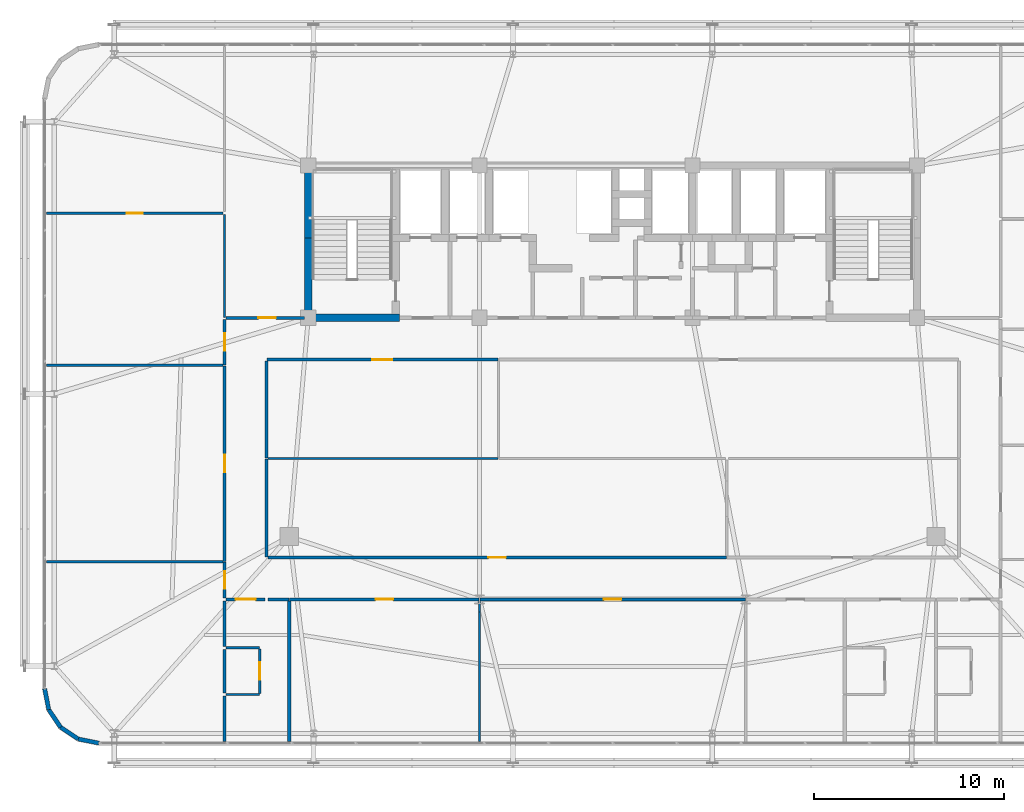
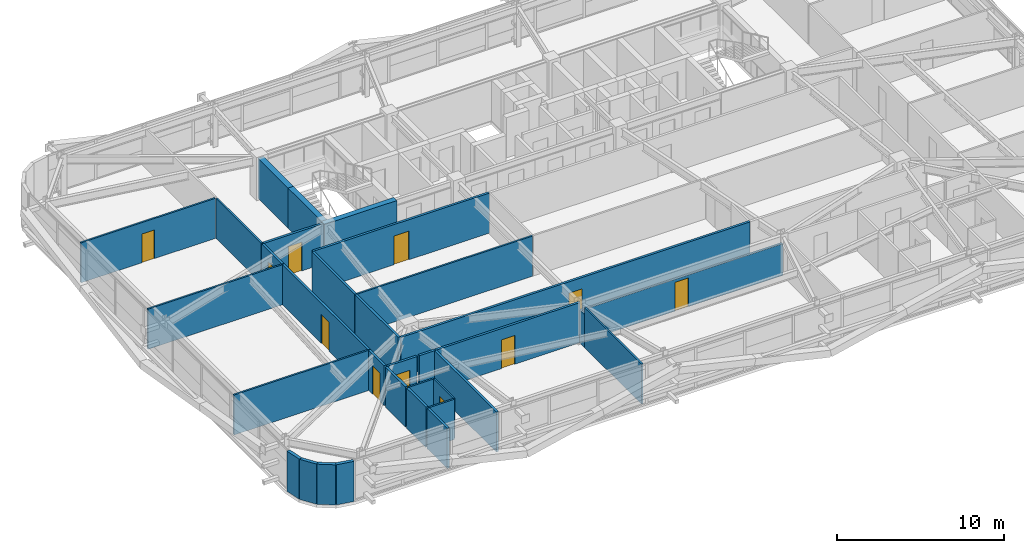
# One storey, part 52 of 59: 33 walls, 11 doors, 11 openings.
"""IFC4 building model written with IfcOpenShell, lengths in metres."""

import ifcopenshell
import ifcopenshell.guid

model = None  # the IFC model being written
_history = None  # IfcOwnerHistory: only IFC2X3 demands one
_inside = {}  # id of a spatial element -> (the spatial element, [elements in it])
_under = {}  # id of a project, library or spatial element -> (it, [spatial elements below it])
_declared = {}  # id of a project -> (the project, [libraries it declares])
_typed = {}  # id of a type object -> (the type object, [elements of that type])
_made_of = {}  # id of a material, layer set ... -> (it, [elements and type objects made of it])


def new_model(schema):
    """Start an empty IFC model of exactly this schema.

    Asked for "IFC4X3", IfcOpenShell would pick the latest addendum, in which some entities
    have other attributes; the version numbers below select the first issue.
    IFC2X3 requires an IfcOwnerHistory on every rooted entity: one is made here for all.
    """
    global model, _history
    if schema == "IFC4X3":
        model = ifcopenshell.file(schema_version=(4, 3, 0, 0))
    else:
        model = ifcopenshell.file(schema=schema)
    _inside.clear()
    _under.clear()
    _declared.clear()
    _typed.clear()
    _made_of.clear()
    _history = None
    if model.schema == "IFC2X3":
        org = make("IfcOrganization", Name="unknown")
        user = make(
            "IfcPersonAndOrganization",
            ThePerson=make("IfcPerson", FamilyName="unknown"),
            TheOrganization=org,
        )
        app = make(
            "IfcApplication",
            ApplicationDeveloper=org,
            Version="unknown",
            ApplicationFullName="unknown",
            ApplicationIdentifier="unknown",
        )
        _history = make(
            "IfcOwnerHistory",
            OwningUser=user,
            OwningApplication=app,
            ChangeAction="ADDED",
            CreationDate=0,
        )
    return model


def make(cls, **values):
    """One entity of the class cls with the attributes given. An attribute that is None is left unset."""
    return model.create_entity(
        cls, **{name: value for name, value in values.items() if value is not None}
    )


def rooted(cls, **values):
    """An entity with a GlobalId (a new one), such as an element, a storey or a relation."""
    return make(cls, GlobalId=ifcopenshell.guid.new(), OwnerHistory=_history, **values)


def si_unit(unit_type, name, prefix=None):
    """IfcSIUnit, for example si_unit("LENGTHUNIT", "METRE", prefix="MILLI")."""
    return make("IfcSIUnit", UnitType=unit_type, Prefix=prefix, Name=name)


def assignment(units):
    """IfcUnitAssignment: the units of a project."""
    return None if units is None else make("IfcUnitAssignment", Units=units)


def point(xyz):
    """IfcCartesianPoint."""
    return None if xyz is None else make("IfcCartesianPoint", Coordinates=xyz)


def direction(xyz):
    """IfcDirection."""
    return None if xyz is None else make("IfcDirection", DirectionRatios=xyz)


def frame(location, z_axis=None, x_axis=None):
    """IfcAxis2Placement3D, a coordinate frame: its origin and axes. An axis left out is left unset."""
    return make(
        "IfcAxis2Placement3D",
        Location=point(location),
        Axis=direction(z_axis),
        RefDirection=direction(x_axis),
    )


def frame_2d(location, x_axis=None):
    """IfcAxis2Placement2D, a coordinate frame in the plane: its origin and x axis."""
    return make(
        "IfcAxis2Placement2D", Location=point(location), RefDirection=direction(x_axis)
    )


def origin():
    """The frame at (0, 0, 0) with its axes left unset."""
    return frame((0.0, 0.0, 0.0))


def place(relative_to, where):
    """IfcLocalPlacement: puts the frame where relative to a parent placement (None: the world)."""
    return make(
        "IfcLocalPlacement", PlacementRelTo=relative_to, RelativePlacement=where
    )


def context(
    kind, dimensions, precision=None, world=None, true_north=None, identifier=None
):
    """IfcGeometricRepresentationContext, for example the 3D "Model" context."""
    return make(
        "IfcGeometricRepresentationContext",
        ContextIdentifier=identifier,
        ContextType=kind,
        CoordinateSpaceDimension=dimensions,
        Precision=precision,
        WorldCoordinateSystem=world,
        TrueNorth=true_north,
    )


def subcontext(parent, identifier, kind, view, scale=None):
    """IfcGeometricRepresentationSubContext, for example "Body" below "Model"."""
    return make(
        "IfcGeometricRepresentationSubContext",
        ContextIdentifier=identifier,
        ContextType=kind,
        ParentContext=parent,
        TargetScale=scale,
        TargetView=view,
    )


def project(units=None, contexts=None):
    """IfcProject with its units and contexts."""
    return rooted(
        "IfcProject",
        Name="project",
        RepresentationContexts=contexts,
        UnitsInContext=assignment(units),
    )


def spatial(cls, under=None, at=None, **own):
    """A site, building, storey or space (cls), placed at a placement, below another one or the project."""
    s = rooted(cls, ObjectPlacement=at, **own)
    if under is not None:
        _under.setdefault(under.id(), (under, []))[1].append(s)
    return s


def profile(cls, at=None, kind="AREA", **sizes):
    """A parametric profile (cls). Its sizes go by their IFC names, for example OverallWidth=200.0."""
    return make(cls, ProfileType=kind, Position=at, **sizes)


def rectangle(**sizes):
    """IfcRectangleProfileDef."""
    return profile("IfcRectangleProfileDef", **sizes)


def extrude(swept, where, along, depth):
    """IfcExtrudedAreaSolid: the profile swept, set in the frame where, extruded along a direction by depth."""
    return make(
        "IfcExtrudedAreaSolid",
        SweptArea=swept,
        Position=where,
        ExtrudedDirection=direction(along),
        Depth=depth,
    )


def shape(context_of_items, identifier, shape_type, items):
    """IfcShapeRepresentation: the items that make up one representation, for example the "Body"."""
    return make(
        "IfcShapeRepresentation",
        ContextOfItems=context_of_items,
        RepresentationIdentifier=identifier,
        RepresentationType=shape_type,
        Items=items,
    )


def source(mapping_origin, context_of_items, identifier, shape_type, items):
    """IfcRepresentationMap: a shape defined once, which mapped items show again and again."""
    return make(
        "IfcRepresentationMap",
        MappingOrigin=mapping_origin,
        MappedRepresentation=shape(context_of_items, identifier, shape_type, items),
    )


def transform(
    local_origin,
    x_axis=None,
    y_axis=None,
    z_axis=None,
    scale=None,
    scale2=None,
    scale3=None,
    uniform=True,
):
    """IfcCartesianTransformationOperator3D, or its non-uniform kind. x_axis, y_axis, z_axis: its Axis1, 2, 3."""
    if uniform:
        return make(
            "IfcCartesianTransformationOperator3D",
            Axis1=direction(x_axis),
            Axis2=direction(y_axis),
            LocalOrigin=point(local_origin),
            Scale=scale,
            Axis3=direction(z_axis),
        )
    return make(
        "IfcCartesianTransformationOperator3DnonUniform",
        Axis1=direction(x_axis),
        Axis2=direction(y_axis),
        LocalOrigin=point(local_origin),
        Scale=scale,
        Axis3=direction(z_axis),
        Scale2=scale2,
        Scale3=scale3,
    )


def mapped(mapping_source, mapping_target):
    """IfcMappedItem: shows the shape of a source again, moved by a transform."""
    return make(
        "IfcMappedItem", MappingSource=mapping_source, MappingTarget=mapping_target
    )


def material(Name=None, Category=None):
    """IfcMaterial."""
    return make("IfcMaterial", Name=Name, Category=Category)


def layer(
    of_material, thickness, ventilated=None, Name=None, Category=None, Priority=None
):
    """IfcMaterialLayer: one layer of a wall or slab, of a material (None: an air gap)."""
    return make(
        "IfcMaterialLayer",
        Material=of_material,
        LayerThickness=thickness,
        IsVentilated=ventilated,
        Name=Name,
        Category=Category,
        Priority=Priority,
    )


def layer_set(layers, Name=None):
    """IfcMaterialLayerSet."""
    return make("IfcMaterialLayerSet", MaterialLayers=layers, LayerSetName=Name)


def made_of(thing, what):
    """Note that an element or type object is made of a material, layer set ...; save() writes the relation."""
    if what is not None:
        _made_of.setdefault(what.id(), (what, []))[1].append(thing)
    return thing


def type_object(cls, material=None, **own):
    """A type object (cls), such as IfcWallType, which elements share."""
    return made_of(rooted(cls, **own), material)


def element(
    cls,
    number,
    at=None,
    inside=None,
    cuts=None,
    type_object=None,
    material=None,
    context=None,
    identifier="Body",
    shape_type=None,
    held_by="IfcProductDefinitionShape",
    body=None,
    shapes=None,
    **own,
):
    """One element of the class cls, such as IfcWall. Its Tag is "e" and its number.

    at: its placement. inside: the storey or other place that contains it. cuts: it is an
    opening in that element (IfcRelVoidsElement). A single representation is given by context,
    identifier, shape_type and body (its items); several are given by shapes. held_by: the class
    of the entity that holds the representations. save() writes the other relations.
    """
    e = rooted(cls, Tag="e%d" % number, ObjectPlacement=at, **own)
    if body is not None:
        shapes = [shape(context, identifier, shape_type, body)]
    if shapes is not None:
        e.Representation = make(held_by, Representations=shapes)
    if inside is not None:
        _inside.setdefault(inside.id(), (inside, []))[1].append(e)
    if cuts is not None:
        rooted(
            "IfcRelVoidsElement", RelatingBuildingElement=cuts, RelatedOpeningElement=e
        )
    if type_object is not None:
        _typed.setdefault(type_object.id(), (type_object, []))[1].append(e)
    return made_of(e, material)


def fill(opening, filler):
    """IfcRelFillsElement: the door or window that sits in an opening."""
    return rooted(
        "IfcRelFillsElement",
        RelatingOpeningElement=opening,
        RelatedBuildingElement=filler,
    )


def aggregate(whole, parts):
    """IfcRelAggregates: a whole, such as a stair, and the parts it consists of."""
    return rooted("IfcRelAggregates", RelatingObject=whole, RelatedObjects=parts)


def save(model, path):
    """Write the relations noted so far, then the file.

    IfcRelAggregates (storeys below a building ...), IfcRelContainedInSpatialStructure (elements
    in a storey), IfcRelDefinesByType, IfcRelAssociatesMaterial and IfcRelDeclares: one each for
    every whole, place, type object, material and project.
    """
    for whole, parts in _under.values():
        aggregate(whole, parts)
    for where, things in _inside.values():
        rooted(
            "IfcRelContainedInSpatialStructure",
            RelatedElements=things,
            RelatingStructure=where,
        )
    for kind, things in _typed.values():
        rooted("IfcRelDefinesByType", RelatedObjects=things, RelatingType=kind)
    for what, things in _made_of.values():
        rooted("IfcRelAssociatesMaterial", RelatedObjects=things, RelatingMaterial=what)
    for by, libraries in _declared.values():
        rooted("IfcRelDeclares", RelatingContext=by, RelatedDefinitions=libraries)
    model.write(path)


model = new_model("IFC4")

# Units and contexts
model_context = context("Model", 3, precision=1e-05, world=origin(), true_north=direction((0.0, 1.0)))
body_context = subcontext(model_context, "Body", "Model", "MODEL_VIEW")
ifc_project = project(units=[si_unit("LENGTHUNIT", "METRE"), si_unit("AREAUNIT", "SQUARE_METRE"), si_unit("VOLUMEUNIT", "CUBIC_METRE"), si_unit("PLANEANGLEUNIT", "RADIAN"), si_unit("MASSUNIT", "GRAM", prefix="KILO")], contexts=[model_context])

# Site, building, storey
site_placement = place(None, origin())
site = spatial("IfcSite", under=ifc_project, at=site_placement, CompositionType="ELEMENT")
building_placement = place(site_placement, origin())
building = spatial("IfcBuilding", under=site, at=building_placement, Name="Taldren Reach Tower", CompositionType="ELEMENT")
storey_placement = place(building_placement, frame((0.0, 0.0, 26.25)))
storey = spatial("IfcBuildingStorey", under=building, at=storey_placement, Name="L07", CompositionType="ELEMENT", Elevation=26.25)

# Walls
ifc_material_1 = material(Name="Pale Champagne Anodised Aluminium Cladding", Category="aluminium")
ifc_layer_1 = layer(ifc_material_1, 0.04, Name="Pale Champagne Anodised Aluminium Cladding", Category="aluminium")
ifc_material_2 = material(Name="Mineral Wool Acoustic Insulation", Category="insulation")
ifc_layer_2 = layer(ifc_material_2, 0.06, Name="Mineral Wool Acoustic Insulation", Category="insulation")
ifc_material_3 = material(Name="Steel Gr 350 (C350L0)", Category="steel")
ifc_layer_3 = layer(ifc_material_3, 0.12, Name="Steel Gr 350 (C350L0)", Category="steel")
ifc_layer_set_1 = layer_set([ifc_layer_1, ifc_layer_2, ifc_layer_3], Name="Pale Champagne Aluminium Cladding and Steel Gr 350 Stud Framing")
wall_type_1 = type_object("IfcWallType", Name="EW-CRN-220", PredefinedType="SOLIDWALL", material=ifc_layer_set_1)
shared_shape_1 = source(origin(), body_context, "Body", "SweptSolid", [
    extrude(rectangle(XDim=1.115966796875, YDim=0.219970703125, at=frame_2d((0.55810546875, 0.0))), origin(), (0.0, 0.0, 1.0), 2.929931640625),
])
for number, where, z_axis, x_axis, name in (
    (1, (5.139892578125, 4.5, 0.0), (0.0, 0.0, 1.0), (0.195148375659, -0.98077373103, 0.0), "Rounded-corner pale-metal facade wall L07-SW1"),
    (2, (5.357666015625, 3.405517578125, 0.0), (0.0, 0.0, 1.0), (0.555709556774, -0.83137650226, 0.0), "Rounded-corner pale-metal facade wall L07-SW2"),
    (3, (5.977783203125, 2.477783203125, 0.0), (0.0, 0.0, 1.0), (0.83137650226, -0.555709556774, 0.0), "Rounded-corner pale-metal facade wall L07-SW3"),
    (4, (6.905517578125, 1.857666015625, 0.0), (0.0, 0.0, 1.0), (0.98077373103, -0.195148375659, 0.0), "Rounded-corner pale-metal facade wall L07-SW4"),
):
    element("IfcWall", number, at=place(storey_placement, frame(where, z_axis=z_axis, x_axis=x_axis)), inside=storey, type_object=wall_type_1, Name=name, PredefinedType="SOLIDWALL", context=body_context, shape_type="MappedRepresentation", body=[
        mapped(shared_shape_1, transform((0.0, 0.0, 0.0), scale=1.0)),
    ])
ifc_material_4 = material(Name="Concrete S80 (80 MPa)", Category="concrete")
ifc_layer_4 = layer(ifc_material_4, 0.3798828125)
ifc_layer_set_2 = layer_set([ifc_layer_4], Name="Concrete S80 (80 MPa)")
wall_type_2 = type_object("IfcWallType", Name="IW-CORE-380", PredefinedType="SHEAR", material=ifc_layer_set_2)
shared_shape_2 = source(origin(), body_context, "Body", "SweptSolid", [
    extrude(rectangle(XDim=4.010009765625, YDim=0.3798828125, at=frame_2d((2.0048828125, 0.0))), origin(), (0.0, 0.0, 1.0), 2.929931640625),
])
wall_1_placement = place(storey_placement, frame((19.0, 24.18994140625, 0.0), z_axis=(0.0, 0.0, 1.0), x_axis=(0.0, 1.0, 0.0)))
element("IfcWall", 5, at=wall_1_placement, inside=storey, type_object=wall_type_2, Name="Rear Core Shear Wall W-CORE-L07-WEST1", PredefinedType="SHEAR", context=body_context, shape_type="MappedRepresentation", body=[
    mapped(shared_shape_2, transform((0.0, 0.0, 0.0), scale=1.0)),
])
shared_shape_3 = source(origin(), body_context, "Body", "SweptSolid", [
    extrude(rectangle(XDim=3.610107421875, YDim=0.3798828125, at=frame_2d((1.80517578125, 0.0))), origin(), (0.0, 0.0, 1.0), 2.929931640625),
])
wall_2_placement = place(storey_placement, frame((19.0, 28.199951171875, 0.0), z_axis=(0.0, 0.0, 1.0), x_axis=(0.0, 1.0, 0.0)))
element("IfcWall", 6, at=wall_2_placement, inside=storey, type_object=wall_type_2, Name="Rear Core Shear Wall W-CORE-L07-WEST2", PredefinedType="SHEAR", context=body_context, shape_type="MappedRepresentation", body=[
    mapped(shared_shape_3, transform((0.0, 0.0, 0.0), scale=1.0)),
])
shared_shape_4 = source(origin(), body_context, "Body", "SweptSolid", [
    extrude(rectangle(XDim=4.97998046875, YDim=0.3798828125, at=frame_2d((2.489990234375, 0.0))), origin(), (0.0, 0.0, 1.0), 2.929931640625),
])
wall_3_placement = place(storey_placement, frame((18.81005859375, 24.0, 0.0), z_axis=(0.0, 0.0, 1.0), x_axis=(1.0, 0.0, 0.0)))
element("IfcWall", 7, at=wall_3_placement, inside=storey, type_object=wall_type_2, Name="Rear Core Shear Wall W-INT-L07-003", PredefinedType="SHEAR", context=body_context, shape_type="MappedRepresentation", body=[
    mapped(shared_shape_4, transform((0.0, 0.0, 0.0), scale=1.0)),
])

# Wall, opening, door
ifc_material_5 = material(Name="Fire-Rated Acoustic Plasterboard Stud Wall", Category="gypsum")
ifc_layer_5 = layer(ifc_material_5, 0.159912109375)
ifc_layer_set_3 = layer_set([ifc_layer_5], Name="Fire-Rated Acoustic Plasterboard Stud Wall")
wall_type_3 = type_object("IfcWallType", Name="IW-FIRE-160", PredefinedType="PARTITIONING", material=ifc_layer_set_3)
shared_shape_5 = source(origin(), body_context, "Body", "SweptSolid", [
    extrude(rectangle(XDim=2.0400390625, YDim=0.159912109375, at=frame_2d((1.02001953125, 0.0))), origin(), (0.0, 0.0, 1.0), 2.929931640625),
])
wall_4_placement = place(storey_placement, frame((16.719970703125, 9.199951171875, 0.0), z_axis=(0.0, 0.0, 1.0), x_axis=(-1.0, 0.0, 0.0)))
wall_4 = element("IfcWall", 8, at=wall_4_placement, inside=storey, type_object=wall_type_3, Name="Interior Partition Wall W-INT-L07-066", PredefinedType="PARTITIONING", context=body_context, shape_type="MappedRepresentation", body=[
    mapped(shared_shape_5, transform((0.0, 0.0, 0.0), scale=1.0)),
])
shared_shape_6 = source(origin(), body_context, "Body", "SweptSolid", [
    extrude(rectangle(XDim=1.050048828125, YDim=2.10009765625, at=frame_2d((0.52490234375, 1.050048828125))), frame((0.0, 0.08984375, 0.0), z_axis=(0.0, -1.0, 0.0), x_axis=(1.0, 0.0, 0.0)), (0.0, 0.0, 1.0), 0.179931640625),
])
opening_1_placement = place(wall_4_placement, frame((0.4951171875, 0.0, 0.0)))
opening_1 = element("IfcOpeningElement", 9, at=opening_1_placement, cuts=wall_4, Name="Opening DF-105", PredefinedType="OPENING", context=body_context, shape_type="MappedRepresentation", body=[
    mapped(shared_shape_6, transform((0.0, 0.0, 0.0), scale=1.0)),
])
ifc_material_6 = material(Name="Fire-Rated Care and Stair Exit Door")
door_type_1 = type_object("IfcDoorType", Name="ID-FIRE-105", OperationType="NOTDEFINED", PredefinedType="DOOR", material=ifc_material_6)
shared_shape_7 = source(origin(), body_context, "Body", "SweptSolid", [
    extrude(rectangle(XDim=1.050048828125, YDim=2.10009765625, at=frame_2d((0.52490234375, 1.050048828125))), frame((0.0, 0.02490234375, 0.0), z_axis=(0.0, -1.0, 0.0), x_axis=(1.0, 0.0, 0.0)), (0.0, 0.0, 1.0), 0.050048828125),
])
door_1_placement = place(opening_1_placement, origin())
door_1 = element("IfcDoor", 10, at=door_1_placement, inside=storey, type_object=door_type_1, Name="Interior Door DR-L07-016", OperationType="SINGLE_SWING_LEFT", OverallHeight=2.10009765625, OverallWidth=1.050048828125, PredefinedType="DOOR", context=body_context, shape_type="MappedRepresentation", body=[
    mapped(shared_shape_7, transform((0.0, 0.0, 0.0), scale=1.0)),
])
fill(opening_1, door_1)

shared_shape_8 = source(origin(), body_context, "Body", "SweptSolid", [
    extrude(rectangle(XDim=4.130126953125, YDim=0.159912109375, at=frame_2d((2.06494140625, 0.0))), origin(), (0.0, 0.0, 1.0), 2.929931640625),
])
wall_5_placement = place(storey_placement, frame((14.679931640625, 24.0, 0.0), z_axis=(0.0, 0.0, 1.0), x_axis=(1.0, 0.0, 0.0)))
wall_5 = element("IfcWall", 11, at=wall_5_placement, inside=storey, type_object=wall_type_3, Name="Interior Partition Wall W-INT-L07-075", PredefinedType="PARTITIONING", context=body_context, shape_type="MappedRepresentation", body=[
    mapped(shared_shape_8, transform((0.0, 0.0, 0.0), scale=1.0)),
])
shared_shape_9 = source(origin(), body_context, "Body", "SweptSolid", [
    extrude(rectangle(XDim=0.919921875, YDim=2.10009765625, at=frame_2d((0.4599609375, 1.050048828125))), frame((0.0, 0.08984375, 0.0), z_axis=(0.0, -1.0, 0.0), x_axis=(1.0, 0.0, 0.0)), (0.0, 0.0, 1.0), 0.179931640625),
])
opening_2_placement = place(wall_5_placement, frame((1.68994140625, 0.0, 0.0)))
opening_2 = element("IfcOpeningElement", 12, at=opening_2_placement, cuts=wall_5, Name="Opening DI-092", PredefinedType="OPENING", context=body_context, shape_type="MappedRepresentation", body=[
    mapped(shared_shape_9, transform((0.0, 0.0, 0.0), scale=1.0)),
])
ifc_material_7 = material(Name="Solid-Core Timber Suite Door", Category="wood")
door_type_2 = type_object("IfcDoorType", Name="ID-INT-092", OperationType="NOTDEFINED", PredefinedType="DOOR", material=ifc_material_7)
shared_shape_10 = source(origin(), body_context, "Body", "SweptSolid", [
    extrude(rectangle(XDim=0.919921875, YDim=2.10009765625, at=frame_2d((0.4599609375, 1.050048828125))), frame((0.0, 0.02490234375, 0.0), z_axis=(0.0, -1.0, 0.0), x_axis=(1.0, 0.0, 0.0)), (0.0, 0.0, 1.0), 0.050048828125),
])
door_2_placement = place(opening_2_placement, origin())
door_2 = element("IfcDoor", 13, at=door_2_placement, inside=storey, type_object=door_type_2, Name="Interior Door DR-L07-024", OperationType="SINGLE_SWING_LEFT", OverallHeight=2.10009765625, OverallWidth=0.919921875, PredefinedType="DOOR", context=body_context, shape_type="MappedRepresentation", body=[
    mapped(shared_shape_10, transform((0.0, 0.0, 0.0), scale=1.0)),
])
fill(opening_2, door_2)

# Walls
shared_shape_11 = source(origin(), body_context, "Body", "SweptSolid", [
    extrude(rectangle(XDim=5.15966796875, YDim=0.159912109375, at=frame_2d((2.579833984375, 0.0))), origin(), (0.0, 0.0, 1.0), 2.929931640625),
])
wall_6_placement = place(storey_placement, frame((16.800048828125, 16.579833984375, 0.0), z_axis=(0.0, 0.0, 1.0), x_axis=(0.0, -1.0, 0.0)))
element("IfcWall", 14, at=wall_6_placement, inside=storey, type_object=wall_type_3, Name="Interior Partition Wall W-INT-L07-060", PredefinedType="PARTITIONING", context=body_context, shape_type="MappedRepresentation", body=[
    mapped(shared_shape_11, transform((0.0, 0.0, 0.0), scale=1.0)),
])
shared_shape_12 = source(origin(), body_context, "Body", "SweptSolid", [
    extrude(rectangle(XDim=5.099853515625, YDim=0.159912109375, at=frame_2d((2.5498046875, 0.0))), origin(), (0.0, 0.0, 1.0), 2.929931640625),
])
wall_7_placement = place(storey_placement, frame((16.800048828125, 21.719970703125, 0.0), z_axis=(0.0, 0.0, 1.0), x_axis=(0.0, -1.0, 0.0)))
element("IfcWall", 15, at=wall_7_placement, inside=storey, type_object=wall_type_3, Name="Interior Partition Wall W-INT-L07-063", PredefinedType="PARTITIONING", context=body_context, shape_type="MappedRepresentation", body=[
    mapped(shared_shape_12, transform((0.0, 0.0, 0.0), scale=1.0)),
])
shared_shape_13 = source(origin(), body_context, "Body", "SweptSolid", [
    extrude(rectangle(XDim=1.099853515625, YDim=0.159912109375, at=frame_2d((0.5498046875, 0.0))), origin(), (0.0, 0.0, 1.0), 2.929931640625),
])
wall_8_placement = place(storey_placement, frame((17.979736328125, 9.199951171875, 0.0), z_axis=(0.0, 0.0, 1.0), x_axis=(-1.0, 0.0, 0.0)))
element("IfcWall", 16, at=wall_8_placement, inside=storey, type_object=wall_type_3, Name="Interior Partition Wall W-INT-L07-079", PredefinedType="PARTITIONING", context=body_context, shape_type="MappedRepresentation", body=[
    mapped(shared_shape_13, transform((0.0, 0.0, 0.0), scale=1.0)),
])

# Wall, opening, door
ifc_material_8 = material(Name="Insulated Residential Stud Partition", Category="gypsum")
ifc_layer_6 = layer(ifc_material_8, 0.1201171875)
ifc_layer_set_4 = layer_set([ifc_layer_6], Name="Insulated Residential Stud Partition")
wall_type_4 = type_object("IfcWallType", Name="IW-PART-120", PredefinedType="PARTITIONING", material=ifc_layer_set_4)
shared_shape_14 = source(origin(), body_context, "Body", "SweptSolid", [
    extrude(rectangle(XDim=2.330078125, YDim=0.1201171875, at=frame_2d((1.1650390625, 0.0))), origin(), (0.0, 0.0, 1.0), 2.929931640625),
])
wall_9_placement = place(storey_placement, frame((16.449951171875, 4.260009765625, 0.0), z_axis=(0.0, 0.0, 1.0), x_axis=(0.0, 1.0, 0.0)))
wall_9 = element("IfcWall", 17, at=wall_9_placement, inside=storey, type_object=wall_type_4, Name="Interior Partition Wall W-INT-L07-090", PredefinedType="PARTITIONING", context=body_context, shape_type="MappedRepresentation", body=[
    mapped(shared_shape_14, transform((0.0, 0.0, 0.0), scale=1.0)),
])
shared_shape_15 = source(origin(), body_context, "Body", "SweptSolid", [
    extrude(rectangle(XDim=0.919921875, YDim=2.10009765625, at=frame_2d((0.4599609375, 1.050048828125))), frame((0.0, 0.070068359375, 0.0), z_axis=(0.0, -1.0, 0.0), x_axis=(1.0, 0.0, 0.0)), (0.0, 0.0, 1.0), 0.14013671875),
])
opening_3_placement = place(wall_9_placement, frame((0.705078125, 0.0, 0.0)))
opening_3 = element("IfcOpeningElement", 18, at=opening_3_placement, cuts=wall_9, Name="Opening DI-092", PredefinedType="OPENING", context=body_context, shape_type="MappedRepresentation", body=[
    mapped(shared_shape_15, transform((0.0, 0.0, 0.0), scale=1.0)),
])
door_3_placement = place(opening_3_placement, origin())
door_3 = element("IfcDoor", 19, at=door_3_placement, inside=storey, type_object=door_type_2, Name="Interior Door DR-L07-031", OperationType="SINGLE_SWING_RIGHT", OverallHeight=2.10009765625, OverallWidth=0.919921875, PredefinedType="DOOR", context=body_context, shape_type="MappedRepresentation", body=[
    mapped(shared_shape_10, transform((0.0, 0.0, 0.0), scale=1.0)),
])
fill(opening_3, door_3)

# Walls
shared_shape_16 = source(origin(), body_context, "Body", "SweptSolid", [
    extrude(rectangle(XDim=1.749755859375, YDim=0.1201171875, at=frame_2d((0.875, 0.0))), origin(), (0.0, 0.0, 1.0), 2.929931640625),
])
for number, where, z_axis, x_axis, name in (
    (20, (14.679931640625, 4.199951171875, 0.0), (0.0, 0.0, 1.0), (1.0, 0.0, 0.0), "Interior Partition Wall W-INT-L07-091"),
    (21, (16.4296875, 6.64990234375, 0.0), (0.0, 0.0, 1.0), (-1.0, 0.0, 0.0), "Interior Partition Wall W-INT-L07-092"),
):
    element("IfcWall", number, at=place(storey_placement, frame(where, z_axis=z_axis, x_axis=x_axis)), inside=storey, type_object=wall_type_4, Name=name, PredefinedType="PARTITIONING", context=body_context, shape_type="MappedRepresentation", body=[
        mapped(shared_shape_16, transform((0.0, 0.0, 0.0), scale=1.0)),
    ])
shared_shape_17 = source(origin(), body_context, "Body", "SweptSolid", [
    extrude(rectangle(XDim=2.38818359375, YDim=0.159912109375, at=frame_2d((1.194091796875, 0.0))), origin(), (0.0, 0.0, 1.0), 2.929931640625),
])
wall_10_placement = place(storey_placement, frame((14.60009765625, 1.73193359375, 0.0), z_axis=(0.0, 0.0, 1.0), x_axis=(0.0, 1.0, 0.0)))
element("IfcWall", 22, at=wall_10_placement, inside=storey, type_object=wall_type_3, Name="Interior Partition Wall W-INT-L07-094", PredefinedType="PARTITIONING", context=body_context, shape_type="MappedRepresentation", body=[
    mapped(shared_shape_17, transform((0.0, 0.0, 0.0), scale=1.0)),
])
shared_shape_18 = source(origin(), body_context, "Body", "SweptSolid", [
    extrude(rectangle(XDim=2.387939453125, YDim=0.159912109375, at=frame_2d((1.19384765625, 0.0))), origin(), (0.0, 0.0, 1.0), 2.929931640625),
])
wall_11_placement = place(storey_placement, frame((14.60009765625, 6.72998046875, 0.0), z_axis=(0.0, 0.0, 1.0), x_axis=(0.0, 1.0, 0.0)))
element("IfcWall", 23, at=wall_11_placement, inside=storey, type_object=wall_type_3, Name="Interior Partition Wall W-INT-L07-095", PredefinedType="PARTITIONING", context=body_context, shape_type="MappedRepresentation", body=[
    mapped(shared_shape_18, transform((0.0, 0.0, 0.0), scale=1.0)),
])
shared_shape_19 = source(origin(), body_context, "Body", "SweptSolid", [
    extrude(rectangle(XDim=2.2900390625, YDim=0.159912109375, at=frame_2d((1.14501953125, 0.0))), origin(), (0.0, 0.0, 1.0), 2.929931640625),
])
wall_12_placement = place(storey_placement, frame((14.60009765625, 4.280029296875, 0.0), z_axis=(0.0, 0.0, 1.0), x_axis=(0.0, 1.0, 0.0)))
element("IfcWall", 24, at=wall_12_placement, inside=storey, type_object=wall_type_3, Name="Interior Partition Wall W-INT-L07-096", PredefinedType="PARTITIONING", context=body_context, shape_type="MappedRepresentation", body=[
    mapped(shared_shape_19, transform((0.0, 0.0, 0.0), scale=1.0)),
])
shared_shape_20 = source(origin(), body_context, "Body", "SweptSolid", [
    extrude(rectangle(XDim=7.385986328125, YDim=0.159912109375, at=frame_2d((3.69287109375, 0.0))), origin(), (0.0, 0.0, 1.0), 2.929931640625),
])
wall_13_placement = place(storey_placement, frame((18.0, 9.117919921875, 0.0), z_axis=(0.0, 0.0, 1.0), x_axis=(0.0, -1.0, 0.0)))
element("IfcWall", 25, at=wall_13_placement, inside=storey, type_object=wall_type_3, Name="Interior Partition Wall W-INT-L07-093", PredefinedType="PARTITIONING", context=body_context, shape_type="MappedRepresentation", body=[
    mapped(shared_shape_20, transform((0.0, 0.0, 0.0), scale=1.0)),
])
shared_shape_21 = source(origin(), body_context, "Body", "SweptSolid", [
    extrude(rectangle(XDim=9.2900390625, YDim=0.1201171875, at=frame_2d((4.64501953125, 0.0))), origin(), (0.0, 0.0, 1.0), 2.929931640625),
])
wall_14_placement = place(storey_placement, frame((5.22998046875, 11.177978515625, 0.0), z_axis=(0.0, 0.0, 1.0), x_axis=(1.0, 0.0, 0.0)))
element("IfcWall", 26, at=wall_14_placement, inside=storey, type_object=wall_type_4, Name="Interior Partition Wall W-INT-L07-112", PredefinedType="PARTITIONING", context=body_context, shape_type="MappedRepresentation", body=[
    mapped(shared_shape_21, transform((0.0, 0.0, 0.0), scale=1.0)),
])

# Wall, opening, door
wall_15_placement = place(storey_placement, frame((5.22998046875, 29.5, 0.0), z_axis=(0.0, 0.0, 1.0), x_axis=(1.0, 0.0, 0.0)))
wall_15 = element("IfcWall", 27, at=wall_15_placement, inside=storey, type_object=wall_type_4, Name="Interior Partition Wall W-INT-L07-114", PredefinedType="PARTITIONING", context=body_context, shape_type="MappedRepresentation", body=[
    mapped(shared_shape_21, transform((0.0, 0.0, 0.0), scale=1.0)),
])
shared_shape_22 = source(origin(), body_context, "Body", "SweptSolid", [
    extrude(rectangle(XDim=0.860107421875, YDim=2.10009765625, at=frame_2d((0.43017578125, 1.050048828125))), frame((0.0, 0.070068359375, 0.0), z_axis=(0.0, -1.0, 0.0), x_axis=(1.0, 0.0, 0.0)), (0.0, 0.0, 1.0), 0.14013671875),
])
opening_4_placement = place(wall_15_placement, frame((4.215087890625, 0.0, 0.0)))
opening_4 = element("IfcOpeningElement", 28, at=opening_4_placement, cuts=wall_15, Name="Opening DI-086", PredefinedType="OPENING", context=body_context, shape_type="MappedRepresentation", body=[
    mapped(shared_shape_22, transform((0.0, 0.0, 0.0), scale=1.0)),
])
ifc_material_9 = material(Name="Timber Bathroom Door", Category="wood")
door_type_3 = type_object("IfcDoorType", Name="ID-INT-086", OperationType="NOTDEFINED", PredefinedType="DOOR", material=ifc_material_9)
shared_shape_23 = source(origin(), body_context, "Body", "SweptSolid", [
    extrude(rectangle(XDim=0.860107421875, YDim=2.10009765625, at=frame_2d((0.43017578125, 1.050048828125))), frame((0.0, 0.02490234375, 0.0), z_axis=(0.0, -1.0, 0.0), x_axis=(1.0, 0.0, 0.0)), (0.0, 0.0, 1.0), 0.050048828125),
])
door_4_placement = place(opening_4_placement, frame((0.860107421875, 0.0, 0.0), z_axis=(0.0, 0.0, 1.0), x_axis=(-1.0, 0.0, 0.0)))
door_4 = element("IfcDoor", 29, at=door_4_placement, inside=storey, type_object=door_type_3, Name="Interior Door DR-L07-035", OperationType="SINGLE_SWING_LEFT", OverallHeight=2.10009765625, OverallWidth=0.860107421875, PredefinedType="DOOR", context=body_context, shape_type="MappedRepresentation", body=[
    mapped(shared_shape_23, transform((0.0, 0.0, 0.0), scale=1.0)),
])
fill(opening_4, door_4)

shared_shape_24 = source(origin(), body_context, "Body", "SweptSolid", [
    extrude(rectangle(XDim=12.159423828125, YDim=0.159912109375, at=frame_2d((6.07958984375, 0.0))), origin(), (0.0, 0.0, 1.0), 2.929931640625),
])
wall_16_placement = place(storey_placement, frame((28.979736328125, 21.800048828125, 0.0), z_axis=(0.0, 0.0, 1.0), x_axis=(-1.0, 0.0, 0.0)))
wall_16 = element("IfcWall", 30, at=wall_16_placement, inside=storey, type_object=wall_type_3, Name="Interior Partition Wall W-INT-L07-062", PredefinedType="PARTITIONING", context=body_context, shape_type="MappedRepresentation", body=[
    mapped(shared_shape_24, transform((0.0, 0.0, 0.0), scale=1.0)),
])
opening_5_placement = place(wall_16_placement, frame((5.5546875, 0.0, 0.0)))
opening_5 = element("IfcOpeningElement", 31, at=opening_5_placement, cuts=wall_16, Name="Opening DF-105", PredefinedType="OPENING", context=body_context, shape_type="MappedRepresentation", body=[
    mapped(shared_shape_6, transform((0.0, 0.0, 0.0), scale=1.0)),
])
door_5_placement = place(opening_5_placement, origin())
door_5 = element("IfcDoor", 32, at=door_5_placement, inside=storey, type_object=door_type_1, Name="Interior Door DR-L07-014", OperationType="SINGLE_SWING_LEFT", OverallHeight=2.10009765625, OverallWidth=1.050048828125, PredefinedType="DOOR", context=body_context, shape_type="MappedRepresentation", body=[
    mapped(shared_shape_7, transform((0.0, 0.0, 0.0), scale=1.0)),
])
fill(opening_5, door_5)

shared_shape_25 = source(origin(), body_context, "Body", "SweptSolid", [
    extrude(rectangle(XDim=1.877685546875, YDim=0.159912109375, at=frame_2d((0.93896484375, 0.0))), origin(), (0.0, 0.0, 1.0), 2.929931640625),
])
wall_17_placement = place(storey_placement, frame((14.60009765625, 9.280029296875, 0.0), z_axis=(0.0, 0.0, 1.0), x_axis=(0.0, 1.0, 0.0)))
wall_17 = element("IfcWall", 33, at=wall_17_placement, inside=storey, type_object=wall_type_3, Name="Interior Partition Wall W-INT-L07-068", PredefinedType="PARTITIONING", context=body_context, shape_type="MappedRepresentation", body=[
    mapped(shared_shape_25, transform((0.0, 0.0, 0.0), scale=1.0)),
])
opening_6_placement = place(wall_17_placement, frame((0.47900390625, 0.0, 0.0)))
opening_6 = element("IfcOpeningElement", 34, at=opening_6_placement, cuts=wall_17, Name="Opening DI-092", PredefinedType="OPENING", context=body_context, shape_type="MappedRepresentation", body=[
    mapped(shared_shape_9, transform((0.0, 0.0, 0.0), scale=1.0)),
])
door_6_placement = place(opening_6_placement, origin())
door_6 = element("IfcDoor", 35, at=door_6_placement, inside=storey, type_object=door_type_2, Name="Interior Door DR-L07-018", OperationType="SINGLE_SWING_LEFT", OverallHeight=2.10009765625, OverallWidth=0.919921875, PredefinedType="DOOR", context=body_context, shape_type="MappedRepresentation", body=[
    mapped(shared_shape_10, transform((0.0, 0.0, 0.0), scale=1.0)),
])
fill(opening_6, door_6)

shared_shape_26 = source(origin(), body_context, "Body", "SweptSolid", [
    extrude(rectangle(XDim=10.28125, YDim=0.159912109375, at=frame_2d((5.140625, 0.0))), origin(), (0.0, 0.0, 1.0), 2.929931640625),
])
wall_18_placement = place(storey_placement, frame((14.60009765625, 11.1982421875, 0.0), z_axis=(0.0, 0.0, 1.0), x_axis=(0.0, 1.0, 0.0)))
wall_18 = element("IfcWall", 36, at=wall_18_placement, inside=storey, type_object=wall_type_3, Name="Interior Partition Wall W-INT-L07-069", PredefinedType="PARTITIONING", context=body_context, shape_type="MappedRepresentation", body=[
    mapped(shared_shape_26, transform((0.0, 0.0, 0.0), scale=1.0)),
])
opening_7_placement = place(wall_18_placement, frame((4.6806640625, 0.0, 0.0)))
opening_7 = element("IfcOpeningElement", 37, at=opening_7_placement, cuts=wall_18, Name="Opening DI-092", PredefinedType="OPENING", context=body_context, shape_type="MappedRepresentation", body=[
    mapped(shared_shape_9, transform((0.0, 0.0, 0.0), scale=1.0)),
])
door_7_placement = place(opening_7_placement, origin())
door_7 = element("IfcDoor", 38, at=door_7_placement, inside=storey, type_object=door_type_2, Name="Interior Door DR-L07-019", OperationType="SINGLE_SWING_RIGHT", OverallHeight=2.10009765625, OverallWidth=0.919921875, PredefinedType="DOOR", context=body_context, shape_type="MappedRepresentation", body=[
    mapped(shared_shape_10, transform((0.0, 0.0, 0.0), scale=1.0)),
])
fill(opening_7, door_7)

shared_shape_27 = source(origin(), body_context, "Body", "SweptSolid", [
    extrude(rectangle(XDim=2.399658203125, YDim=0.159912109375, at=frame_2d((1.19970703125, 0.0))), origin(), (0.0, 0.0, 1.0), 2.929931640625),
])
wall_19_placement = place(storey_placement, frame((14.60009765625, 21.520263671875, 0.0), z_axis=(0.0, 0.0, 1.0), x_axis=(0.0, 1.0, 0.0)))
wall_19 = element("IfcWall", 39, at=wall_19_placement, inside=storey, type_object=wall_type_3, Name="Interior Partition Wall W-INT-L07-070", PredefinedType="PARTITIONING", context=body_context, shape_type="MappedRepresentation", body=[
    mapped(shared_shape_27, transform((0.0, 0.0, 0.0), scale=1.0)),
])
opening_8_placement = place(wall_19_placement, frame((0.739990234375, 0.0, 0.0)))
opening_8 = element("IfcOpeningElement", 40, at=opening_8_placement, cuts=wall_19, Name="Opening DI-092", PredefinedType="OPENING", context=body_context, shape_type="MappedRepresentation", body=[
    mapped(shared_shape_9, transform((0.0, 0.0, 0.0), scale=1.0)),
])
door_8_placement = place(opening_8_placement, origin())
door_8 = element("IfcDoor", 41, at=door_8_placement, inside=storey, type_object=door_type_2, Name="Interior Door DR-L07-020", OperationType="SINGLE_SWING_LEFT", OverallHeight=2.10009765625, OverallWidth=0.919921875, PredefinedType="DOOR", context=body_context, shape_type="MappedRepresentation", body=[
    mapped(shared_shape_10, transform((0.0, 0.0, 0.0), scale=1.0)),
])
fill(opening_8, door_8)

shared_shape_28 = source(origin(), body_context, "Body", "SweptSolid", [
    extrude(rectangle(XDim=24.099853515625, YDim=0.159912109375, at=frame_2d((12.0498046875, 0.0))), origin(), (0.0, 0.0, 1.0), 2.929931640625),
])
wall_20_placement = place(storey_placement, frame((16.8798828125, 11.39990234375, 0.0), z_axis=(0.0, 0.0, 1.0), x_axis=(1.0, 0.0, 0.0)))
wall_20 = element("IfcWall", 42, at=wall_20_placement, inside=storey, type_object=wall_type_3, Name="Interior Partition Wall W-INT-L07-077", PredefinedType="PARTITIONING", context=body_context, shape_type="MappedRepresentation", body=[
    mapped(shared_shape_28, transform((0.0, 0.0, 0.0), scale=1.0)),
])
opening_9_placement = place(wall_20_placement, frame((11.58984375, 0.0, 0.0)))
opening_9 = element("IfcOpeningElement", 43, at=opening_9_placement, cuts=wall_20, Name="Opening DI-092", PredefinedType="OPENING", context=body_context, shape_type="MappedRepresentation", body=[
    mapped(shared_shape_9, transform((0.0, 0.0, 0.0), scale=1.0)),
])
door_9_placement = place(opening_9_placement, origin())
door_9 = element("IfcDoor", 44, at=door_9_placement, inside=storey, type_object=door_type_2, Name="Interior Door DR-L07-025", OperationType="SINGLE_SWING_RIGHT", OverallHeight=2.10009765625, OverallWidth=0.919921875, PredefinedType="DOOR", context=body_context, shape_type="MappedRepresentation", body=[
    mapped(shared_shape_10, transform((0.0, 0.0, 0.0), scale=1.0)),
])
fill(opening_9, door_9)

shared_shape_29 = source(origin(), body_context, "Body", "SweptSolid", [
    extrude(rectangle(XDim=9.95947265625, YDim=0.159912109375, at=frame_2d((4.979736328125, 0.0))), origin(), (0.0, 0.0, 1.0), 2.929931640625),
])
wall_21_placement = place(storey_placement, frame((27.979736328125, 9.199951171875, 0.0), z_axis=(0.0, 0.0, 1.0), x_axis=(-1.0, 0.0, 0.0)))
wall_21 = element("IfcWall", 45, at=wall_21_placement, inside=storey, type_object=wall_type_3, Name="Interior Partition Wall W-INT-L07-080", PredefinedType="PARTITIONING", context=body_context, shape_type="MappedRepresentation", body=[
    mapped(shared_shape_29, transform((0.0, 0.0, 0.0), scale=1.0)),
])
opening_10_placement = place(wall_21_placement, frame((4.519775390625, 0.0, 0.0)))
opening_10 = element("IfcOpeningElement", 46, at=opening_10_placement, cuts=wall_21, Name="Opening DI-092", PredefinedType="OPENING", context=body_context, shape_type="MappedRepresentation", body=[
    mapped(shared_shape_9, transform((0.0, 0.0, 0.0), scale=1.0)),
])
door_10_placement = place(opening_10_placement, origin())
door_10 = element("IfcDoor", 47, at=door_10_placement, inside=storey, type_object=door_type_2, Name="Interior Door DR-L07-027", OperationType="SINGLE_SWING_RIGHT", OverallHeight=2.10009765625, OverallWidth=0.919921875, PredefinedType="DOOR", context=body_context, shape_type="MappedRepresentation", body=[
    mapped(shared_shape_10, transform((0.0, 0.0, 0.0), scale=1.0)),
])
fill(opening_10, door_10)

shared_shape_30 = source(origin(), body_context, "Body", "SweptSolid", [
    extrude(rectangle(XDim=13.95947265625, YDim=0.159912109375, at=frame_2d((6.979736328125, 0.0))), origin(), (0.0, 0.0, 1.0), 2.327880859375),
])
wall_22_placement = place(storey_placement, frame((41.979736328125, 9.199951171875, 0.0), z_axis=(0.0, 0.0, 1.0), x_axis=(-1.0, 0.0, 0.0)))
wall_22 = element("IfcWall", 48, at=wall_22_placement, inside=storey, type_object=wall_type_3, Name="Interior Partition Wall W-INT-L07-081", PredefinedType="PARTITIONING", context=body_context, shape_type="MappedRepresentation", body=[
    mapped(shared_shape_30, transform((0.0, 0.0, 0.0), scale=1.0)),
])
opening_11_placement = place(wall_22_placement, frame((6.519775390625, 0.0, 0.0)))
opening_11 = element("IfcOpeningElement", 49, at=opening_11_placement, cuts=wall_22, Name="Opening DI-092", PredefinedType="OPENING", context=body_context, shape_type="MappedRepresentation", body=[
    mapped(shared_shape_9, transform((0.0, 0.0, 0.0), scale=1.0)),
])
door_11_placement = place(opening_11_placement, origin())
door_11 = element("IfcDoor", 50, at=door_11_placement, inside=storey, type_object=door_type_2, Name="Interior Door DR-L07-028", OperationType="SINGLE_SWING_LEFT", OverallHeight=2.10009765625, OverallWidth=0.919921875, PredefinedType="DOOR", context=body_context, shape_type="MappedRepresentation", body=[
    mapped(shared_shape_10, transform((0.0, 0.0, 0.0), scale=1.0)),
])
fill(opening_11, door_11)

# Walls
shared_shape_31 = source(origin(), body_context, "Body", "SweptSolid", [
    extrude(rectangle(XDim=12.099853515625, YDim=0.1201171875, at=frame_2d((6.0498046875, 0.0))), origin(), (0.0, 0.0, 1.0), 2.929931640625),
])
wall_23_placement = place(storey_placement, frame((16.8798828125, 16.60009765625, 0.0), z_axis=(0.0, 0.0, 1.0), x_axis=(1.0, 0.0, 0.0)))
element("IfcWall", 51, at=wall_23_placement, inside=storey, type_object=wall_type_4, Name="Interior Partition Wall W-INT-L07-086", PredefinedType="PARTITIONING", context=body_context, shape_type="MappedRepresentation", body=[
    mapped(shared_shape_31, transform((0.0, 0.0, 0.0), scale=1.0)),
])
shared_shape_32 = source(origin(), body_context, "Body", "SweptSolid", [
    extrude(rectangle(XDim=0.591796875, YDim=0.1201171875, at=frame_2d((0.2958984375, 0.0))), origin(), (0.0, 0.0, 1.0), 2.39697265625),
])
wall_24_placement = place(storey_placement, frame((28.0, 9.1201171875, 0.0), z_axis=(0.0, 0.0, 1.0), x_axis=(0.0, -1.0, 0.0)))
element("IfcWall", 52, at=wall_24_placement, inside=storey, type_object=wall_type_4, Name="Interior Partition Wall W-INT-L07-097", PredefinedType="PARTITIONING", context=body_context, shape_type="MappedRepresentation", body=[
    mapped(shared_shape_32, transform((0.0, 0.0, 0.0), scale=1.0)),
])
shared_shape_33 = source(origin(), body_context, "Body", "SweptSolid", [
    extrude(rectangle(XDim=6.79833984375, YDim=0.1201171875, at=frame_2d((3.399169921875, 0.0))), origin(), (0.0, 0.0, 1.0), 2.929931640625),
])
wall_25_placement = place(storey_placement, frame((28.0, 8.5283203125, 0.0), z_axis=(0.0, 0.0, 1.0), x_axis=(0.0, -1.0, 0.0)))
element("IfcWall", 53, at=wall_25_placement, inside=storey, type_object=wall_type_4, Name="Interior Partition Wall W-INT-L07-097 part 2", PredefinedType="PARTITIONING", context=body_context, shape_type="MappedRepresentation", body=[
    mapped(shared_shape_33, transform((0.0, 0.0, 0.0), scale=1.0)),
])
shared_shape_34 = source(origin(), body_context, "Body", "SweptSolid", [
    extrude(rectangle(XDim=9.2841796875, YDim=0.1201171875, at=frame_2d((4.64208984375, 0.0))), origin(), (0.0, 0.0, 1.0), 2.929931640625),
])
wall_26_placement = place(storey_placement, frame((5.23291015625, 21.5, 0.0), z_axis=(0.0, 0.0, 1.0), x_axis=(1.0, 0.0, 0.0)))
element("IfcWall", 54, at=wall_26_placement, inside=storey, type_object=wall_type_4, Name="Interior Partition Wall W-INT-L07-113", PredefinedType="PARTITIONING", context=body_context, shape_type="MappedRepresentation", body=[
    mapped(shared_shape_34, transform((0.0, 0.0, 0.0), scale=1.0)),
])
shared_shape_35 = source(origin(), body_context, "Body", "SweptSolid", [
    extrude(rectangle(XDim=5.399658203125, YDim=0.1201171875, at=frame_2d((2.69970703125, 0.0))), origin(), (0.0, 0.0, 1.0), 2.929931640625),
])
wall_27_placement = place(storey_placement, frame((14.60009765625, 29.419921875, 0.0), z_axis=(0.0, 0.0, 1.0), x_axis=(0.0, -1.0, 0.0)))
element("IfcWall", 55, at=wall_27_placement, inside=storey, type_object=wall_type_4, Name="Interior Partition Wall W-INT-L07-115", PredefinedType="PARTITIONING", context=body_context, shape_type="MappedRepresentation", body=[
    mapped(shared_shape_35, transform((0.0, 0.0, 0.0), scale=1.0)),
])

save(model, "model.ifc")
